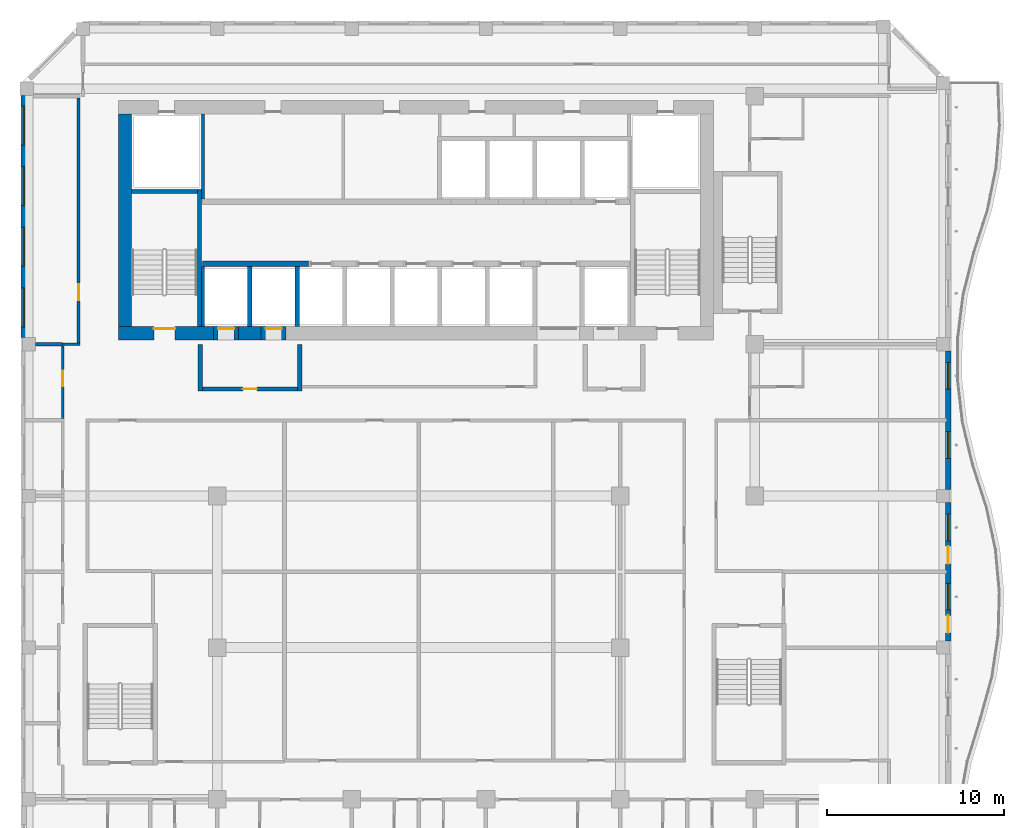
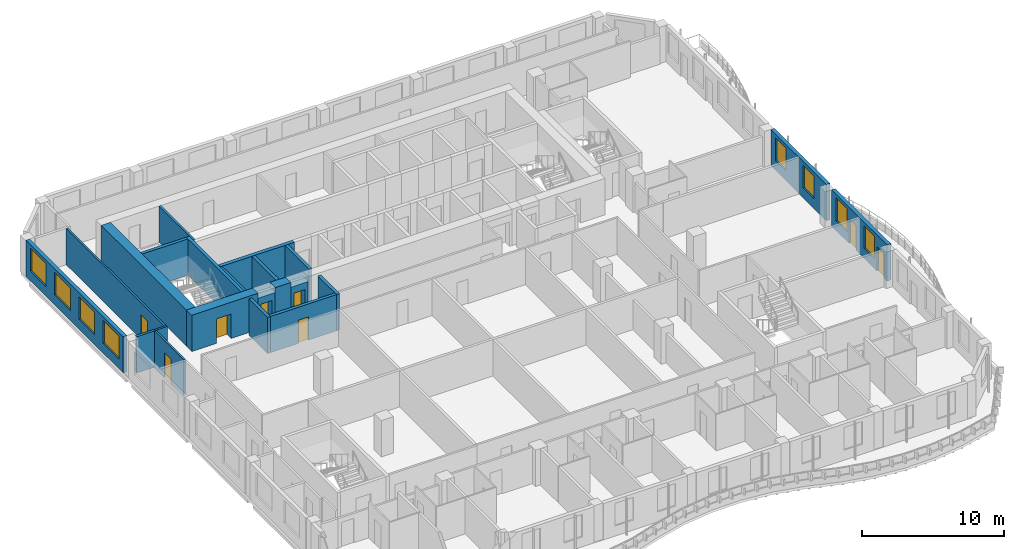
# One storey, part 6 of 21: 22 walls, 8 doors, 8 windows, 16 openings.
"""IFC4 building model written with IfcOpenShell, lengths in metres."""

from ifc_helpers import new_model, si_unit, direction, frame, frame_2d, origin, place, context, subcontext, project, spatial, rectangle, extrude, source, transform, mapped, material, layer, layer_set, type_object, element, fill, save


model = new_model("IFC4")

# Units and contexts
model_context = context("Model", 3, precision=1e-05, world=origin(), true_north=direction((0.0, 1.0)))
body_context = subcontext(model_context, "Body", "Model", "MODEL_VIEW")
ifc_project = project(units=[si_unit("LENGTHUNIT", "METRE"), si_unit("AREAUNIT", "SQUARE_METRE"), si_unit("VOLUMEUNIT", "CUBIC_METRE"), si_unit("PLANEANGLEUNIT", "RADIAN"), si_unit("MASSUNIT", "GRAM", prefix="KILO")], contexts=[model_context])

# Site, building, storey
site_placement = place(None, origin())
site = spatial("IfcSite", under=ifc_project, at=site_placement, CompositionType="ELEMENT")
building_placement = place(site_placement, origin())
building = spatial("IfcBuilding", under=site, at=building_placement, Name="Kilnfold Tower and Market Hall", CompositionType="ELEMENT")
storey_placement = place(building_placement, frame((0.0, 0.0, 210.10009765625)))
storey = spatial("IfcBuildingStorey", under=building, at=storey_placement, Name="L51", CompositionType="ELEMENT", Elevation=210.10009765625)

# Wall
ifc_material_1 = material(Name="Gypsum board on steel studs", Category="steel")
ifc_layer_1 = layer(ifc_material_1, 0.14990234375)
ifc_layer_set_1 = layer_set([ifc_layer_1], Name="Gypsum board on steel studs")
wall_type_1 = type_object("IfcWallType", Name="WALL CORRIDOR 150", PredefinedType="PARTITIONING", material=ifc_layer_set_1)
wall_1_placement = place(storey_placement, frame((-17.925048828125, 8.0, 0.0), z_axis=(0.0, 0.0, 1.0), x_axis=(-1.0, 0.0, 0.0)))
element("IfcWall", 1, at=wall_1_placement, inside=storey, type_object=wall_type_1, Name="Partition LY31.7", PredefinedType="PARTITIONING", context=body_context, shape_type="SweptSolid", body=[
    extrude(rectangle(XDim=0.975830078125, YDim=0.14990234375, at=frame_2d((0.48779296875, 0.0))), origin(), (0.0, 0.0, 1.0), 3.119873046875),
])

# Wall, opening, door
wall_2_placement = place(storey_placement, frame((-18.0, 21.89990234375, 0.0), z_axis=(0.0, 0.0, 1.0), x_axis=(0.0, -1.0, 0.0)))
wall_2 = element("IfcWall", 2, at=wall_2_placement, inside=storey, type_object=wall_type_1, Name="Partition LY31.8", PredefinedType="PARTITIONING", context=body_context, shape_type="SweptSolid", body=[
    extrude(rectangle(XDim=13.824951171875, YDim=0.14990234375, at=frame_2d((6.91259765625, 0.0))), origin(), (0.0, 0.0, 1.0), 3.119873046875),
])
opening_1_placement = place(wall_2_placement, frame((10.52099609375, 0.0, 0.0)))
opening_1 = element("IfcOpeningElement", 3, at=opening_1_placement, cuts=wall_2, Name="Opening D2", PredefinedType="OPENING", context=body_context, shape_type="SweptSolid", body=[
    extrude(rectangle(XDim=0.89990234375, YDim=2.10009765625, at=frame_2d((0.449951171875, 1.050048828125))), frame((0.0, 0.0849609375, 0.0), z_axis=(0.0, -1.0, 0.0), x_axis=(1.0, 0.0, 0.0)), (0.0, 0.0, 1.0), 0.169921875),
])
ifc_material_2 = material(Name="Timber veneer door leaf in steel frame", Category="steel")
door_type_1 = type_object("IfcDoorType", Name="DOOR ROOM 900 X2100", OperationType="NOTDEFINED", PredefinedType="DOOR", material=ifc_material_2)
door_1_placement = place(opening_1_placement, origin())
door_1 = element("IfcDoor", 4, at=door_1_placement, inside=storey, type_object=door_type_1, Name="Door D2", OperationType="SINGLE_SWING_RIGHT", OverallHeight=2.10009765625, OverallWidth=0.89990234375, PredefinedType="DOOR", context=body_context, shape_type="SweptSolid", body=[
    extrude(rectangle(XDim=0.89990234375, YDim=2.10009765625, at=frame_2d((0.449951171875, 1.050048828125))), frame((0.0, 0.02490234375, 0.0), z_axis=(0.0, -1.0, 0.0), x_axis=(1.0, 0.0, 0.0)), (0.0, 0.0, 1.0), 0.050048828125),
])
fill(opening_1, door_1)

wall_3_placement = place(storey_placement, frame((-18.89990234375, 3.80908203125, 0.0), z_axis=(0.0, 0.0, 1.0), x_axis=(0.0, 1.0, 0.0)))
wall_3 = element("IfcWall", 5, at=wall_3_placement, inside=storey, type_object=wall_type_1, Name="Partition LY31.16", PredefinedType="PARTITIONING", context=body_context, shape_type="SweptSolid", body=[
    extrude(rectangle(XDim=4.091796875, YDim=0.14990234375, at=frame_2d((2.0458984375, 0.0))), origin(), (0.0, 0.0, 1.0), 3.119873046875),
])
opening_2_placement = place(wall_3_placement, frame((1.80908203125, 0.0, 0.0)))
opening_2 = element("IfcOpeningElement", 6, at=opening_2_placement, cuts=wall_3, Name="Opening D2", PredefinedType="OPENING", context=body_context, shape_type="SweptSolid", body=[
    extrude(rectangle(XDim=0.89990234375, YDim=2.10009765625, at=frame_2d((0.449951171875, 1.050048828125))), frame((0.0, 0.0849609375, 0.0), z_axis=(0.0, -1.0, 0.0), x_axis=(1.0, 0.0, 0.0)), (0.0, 0.0, 1.0), 0.169921875),
])
door_2_placement = place(opening_2_placement, origin())
door_2 = element("IfcDoor", 7, at=door_2_placement, inside=storey, type_object=door_type_1, Name="Door D2", OperationType="SINGLE_SWING_LEFT", OverallHeight=2.10009765625, OverallWidth=0.89990234375, PredefinedType="DOOR", context=body_context, shape_type="SweptSolid", body=[
    extrude(rectangle(XDim=0.89990234375, YDim=2.10009765625, at=frame_2d((0.449951171875, 1.050048828125))), frame((0.0, 0.02490234375, 0.0), z_axis=(0.0, -1.0, 0.0), x_axis=(1.0, 0.0, 0.0)), (0.0, 0.0, 1.0), 0.050048828125),
])
fill(opening_2, door_2)

# Walls
ifc_material_3 = material(Name="Gypsum board on steel studs", Category="steel")
ifc_layer_2 = layer(ifc_material_3, 0.199951171875)
ifc_layer_set_2 = layer_set([ifc_layer_2], Name="Gypsum board on steel studs")
wall_type_2 = type_object("IfcWallType", Name="WALL PARTY 200", PredefinedType="PARTITIONING", material=ifc_layer_set_2)
wall_4_placement = place(storey_placement, frame((-20.425048828125, 8.0, 0.0), z_axis=(0.0, 0.0, 1.0), x_axis=(0.999999794741, 0.000640717472, 0.0)))
element("IfcWall", 8, at=wall_4_placement, inside=storey, type_object=wall_type_2, Name="Partition LY31.77", PredefinedType="PARTITIONING", context=body_context, shape_type="SweptSolid", body=[
    extrude(rectangle(XDim=1.524169921875, YDim=0.199951171875, at=frame_2d((0.76220703125, 0.0))), origin(), (0.0, 0.0, 1.0), 3.119873046875),
])
ifc_material_4 = material(Name="Concrete C60", Category="concrete")
ifc_layer_3 = layer(ifc_material_4, 0.25)
ifc_layer_set_3 = layer_set([ifc_layer_3], Name="Concrete C60")
wall_type_3 = type_object("IfcWallType", Name="CORE WALL 250 C60", PredefinedType="SHEAR", material=ifc_layer_set_3)
shared_shape_1 = source(origin(), body_context, "Body", "SweptSolid", [
    extrude(rectangle(XDim=7.75, YDim=0.25, at=frame_2d((3.875, 0.0))), origin(), (0.0, 0.0, 1.0), 3.119873046875),
])
wall_5_placement = place(storey_placement, frame((-11.175048828125, 9.0, 0.0), z_axis=(0.0, 0.0, 1.0), x_axis=(0.0, 1.0, 0.0)))
element("IfcWall", 9, at=wall_5_placement, inside=storey, type_object=wall_type_3, Name="Stair enclosure ST1", PredefinedType="SHEAR", context=body_context, shape_type="MappedRepresentation", body=[
    mapped(shared_shape_1, transform((0.0, 0.0, 0.0))),
])
shared_shape_2 = source(origin(), body_context, "Body", "SweptSolid", [
    extrude(rectangle(XDim=3.699951171875, YDim=0.25, at=frame_2d((1.85009765625, 0.0))), origin(), (0.0, 0.0, 1.0), 3.119873046875),
])
wall_6_placement = place(storey_placement, frame((-15.0, 16.625, 0.0), z_axis=(0.0, 0.0, 1.0), x_axis=(1.0, 0.0, 0.0)))
element("IfcWall", 10, at=wall_6_placement, inside=storey, type_object=wall_type_3, Name="Stair enclosure ST1", PredefinedType="SHEAR", context=body_context, shape_type="MappedRepresentation", body=[
    mapped(shared_shape_2, transform((0.0, 0.0, 0.0))),
])
ifc_material_5 = material(Name="Concrete C60", Category="concrete")
ifc_layer_4 = layer(ifc_material_5, 0.300048828125)
ifc_layer_set_4 = layer_set([ifc_layer_4], Name="Concrete C60")
wall_type_4 = type_object("IfcWallType", Name="CORE WALL 300 C60", PredefinedType="SHEAR", material=ifc_layer_set_4)
shared_shape_3 = source(origin(), body_context, "Body", "SweptSolid", [
    extrude(rectangle(XDim=6.0, YDim=0.300048828125, at=frame_2d((3.0, 0.0))), origin(), (0.0, 0.0, 1.0), 3.119873046875),
])
wall_7_placement = place(storey_placement, frame((-11.010009765625, 12.550048828125, 0.0), z_axis=(0.0, 0.0, 1.0), x_axis=(1.0, 0.0, 0.0)))
element("IfcWall", 11, at=wall_7_placement, inside=storey, type_object=wall_type_4, Name="Core spine wall", PredefinedType="SHEAR", context=body_context, shape_type="MappedRepresentation", body=[
    mapped(shared_shape_3, transform((0.0, 0.0, 0.0))),
])

# Wall, opening, door
ifc_material_6 = material(Name="Concrete C60", Category="concrete")
ifc_layer_5 = layer(ifc_material_6, 0.75)
ifc_layer_set_5 = layer_set([ifc_layer_5], Name="Concrete C60")
wall_type_5 = type_object("IfcWallType", Name="CORE WALL 750 C60", PredefinedType="SHEAR", material=ifc_layer_set_5)
shared_shape_4 = source(origin(), body_context, "Body", "SweptSolid", [
    extrude(rectangle(XDim=5.3798828125, YDim=0.75, at=frame_2d((2.68994140625, 0.0))), origin(), (0.0, 0.0, 1.0), 3.119873046875),
])
wall_8_placement = place(storey_placement, frame((-15.75, 8.625, 0.0), z_axis=(0.0, 0.0, 1.0), x_axis=(1.0, 0.0, 0.0)))
wall_8 = element("IfcWall", 12, at=wall_8_placement, inside=storey, type_object=wall_type_5, Name="Core outer wall south", PredefinedType="SHEAR", context=body_context, shape_type="MappedRepresentation", body=[
    mapped(shared_shape_4, transform((0.0, 0.0, 0.0))),
])
opening_3_placement = place(wall_8_placement, frame((2.0, 0.0, 0.0)))
opening_3 = element("IfcOpeningElement", 13, at=opening_3_placement, cuts=wall_8, Name="Opening SD1", PredefinedType="OPENING", context=body_context, shape_type="SweptSolid", body=[
    extrude(rectangle(XDim=1.199951171875, YDim=2.10009765625, at=frame_2d((0.60009765625, 1.050048828125))), frame((0.0, 0.385009765625, 0.0), z_axis=(0.0, -1.0, 0.0), x_axis=(1.0, 0.0, 0.0)), (0.0, 0.0, 1.0), 0.77001953125),
])
ifc_material_7 = material(Name="Steel door set with fire-resisting leaf", Category="steel")
door_type_2 = type_object("IfcDoorType", Name="STAIR FLOOR DOOR 1200X2100", OperationType="NOTDEFINED", PredefinedType="DOOR", material=ifc_material_7)
door_3_placement = place(opening_3_placement, origin())
door_3 = element("IfcDoor", 14, at=door_3_placement, inside=storey, type_object=door_type_2, Name="Exit stair ST1 door", OperationType="DOUBLE_DOOR_SINGLE_SWING", OverallHeight=2.10009765625, OverallWidth=1.199951171875, PredefinedType="DOOR", context=body_context, shape_type="SweptSolid", body=[
    extrude(rectangle(XDim=1.199951171875, YDim=2.10009765625, at=frame_2d((0.60009765625, 1.050048828125))), frame((0.0, 0.27978515625, 0.0), z_axis=(0.0, -1.0, 0.0), x_axis=(1.0, 0.0, 0.0)), (0.0, 0.0, 1.0), 0.050048828125),
])
fill(opening_3, door_3)

# Walls
shared_shape_5 = source(origin(), body_context, "Body", "SweptSolid", [
    extrude(rectangle(XDim=1.280029296875, YDim=0.75, at=frame_2d((0.64013671875, 0.0))), origin(), (0.0, 0.0, 1.0), 3.119873046875),
])
wall_9_placement = place(storey_placement, frame((-8.969970703125, 8.625, 0.0), z_axis=(0.0, 0.0, 1.0), x_axis=(1.0, 0.0, 0.0)))
element("IfcWall", 15, at=wall_9_placement, inside=storey, type_object=wall_type_5, Name="Core outer wall south", PredefinedType="SHEAR", context=body_context, shape_type="MappedRepresentation", body=[
    mapped(shared_shape_5, transform((0.0, 0.0, 0.0))),
])
shared_shape_6 = source(origin(), body_context, "Body", "SweptSolid", [
    extrude(rectangle(XDim=12.0, YDim=0.75, at=frame_2d((6.0, 0.0))), origin(), (0.0, 0.0, 1.0), 3.119873046875),
])
wall_10_placement = place(storey_placement, frame((-15.375, 9.0, 0.0), z_axis=(0.0, 0.0, 1.0), x_axis=(0.0, 1.0, 0.0)))
element("IfcWall", 16, at=wall_10_placement, inside=storey, type_object=wall_type_5, Name="Core outer wall west", PredefinedType="SHEAR", context=body_context, shape_type="MappedRepresentation", body=[
    mapped(shared_shape_6, transform((0.0, 0.0, 0.0))),
])

# Wall, openings, doors, windows
ifc_material_8 = material(Name="Precast concrete C50/60", Category="concrete")
ifc_layer_6 = layer(ifc_material_8, 0.300048828125)
ifc_layer_set_6 = layer_set([ifc_layer_6], Name="Precast concrete C50/60")
wall_type_6 = type_object("IfcWallType", Name="PRECAST WALL 300", PredefinedType="SOLIDWALL", material=ifc_layer_set_6)
shared_shape_7 = source(origin(), body_context, "Body", "SweptSolid", [
    extrude(rectangle(XDim=7.8125, YDim=0.300048828125, at=frame_2d((3.90625, 0.0))), origin(), (0.0, 0.0, 1.0), 3.119873046875),
])
wall_11_placement = place(storey_placement, frame((31.10009765625, -8.75, 0.0), z_axis=(0.0, 0.0, 1.0), x_axis=(0.0, 1.0, 0.0)))
wall_11 = element("IfcWall", 17, at=wall_11_placement, inside=storey, type_object=wall_type_6, Name="External wall L51 E", PredefinedType="SOLIDWALL", context=body_context, shape_type="MappedRepresentation", body=[
    mapped(shared_shape_7, transform((0.0, 0.0, 0.0))),
])
opening_4_placement = place(wall_11_placement, frame((1.75, 0.0, 0.85009765625)))
opening_4 = element("IfcOpeningElement", 18, at=opening_4_placement, cuts=wall_11, Name="Opening W4", PredefinedType="OPENING", context=body_context, shape_type="SweptSolid", body=[
    extrude(rectangle(XDim=1.5, YDim=1.949951171875, at=frame_2d((0.75, 0.97509765625))), frame((0.0, 0.16015625, 0.0), z_axis=(0.0, -1.0, 0.0), x_axis=(1.0, 0.0, 0.0)), (0.0, 0.0, 1.0), 0.320068359375),
])
opening_5_placement = place(wall_11_placement, frame((0.449951171875, 0.0, 0.0)))
opening_5 = element("IfcOpeningElement", 19, at=opening_5_placement, cuts=wall_11, Name="Opening BD1", PredefinedType="OPENING", context=body_context, shape_type="SweptSolid", body=[
    extrude(rectangle(XDim=1.0, YDim=2.10009765625, at=frame_2d((0.5, 1.050048828125))), frame((0.0, 0.16015625, 0.0), z_axis=(0.0, -1.0, 0.0), x_axis=(1.0, 0.0, 0.0)), (0.0, 0.0, 1.0), 0.320068359375),
])
opening_6_placement = place(wall_11_placement, frame((5.65625, 0.0, 0.85009765625)))
opening_6 = element("IfcOpeningElement", 20, at=opening_6_placement, cuts=wall_11, Name="Opening W4", PredefinedType="OPENING", context=body_context, shape_type="SweptSolid", body=[
    extrude(rectangle(XDim=1.5, YDim=1.949951171875, at=frame_2d((0.75, 0.97509765625))), frame((0.0, 0.16015625, 0.0), z_axis=(0.0, -1.0, 0.0), x_axis=(1.0, 0.0, 0.0)), (0.0, 0.0, 1.0), 0.320068359375),
])
opening_7_placement = place(wall_11_placement, frame((4.356201171875, 0.0, 0.0)))
opening_7 = element("IfcOpeningElement", 21, at=opening_7_placement, cuts=wall_11, Name="Opening BD1", PredefinedType="OPENING", context=body_context, shape_type="SweptSolid", body=[
    extrude(rectangle(XDim=1.0, YDim=2.10009765625, at=frame_2d((0.5, 1.050048828125))), frame((0.0, 0.16015625, 0.0), z_axis=(0.0, -1.0, 0.0), x_axis=(1.0, 0.0, 0.0)), (0.0, 0.0, 1.0), 0.320068359375),
])
ifc_material_9 = material(Name="Aluminium frame and double glazing", Category="aluminium")
door_type_3 = type_object("IfcDoorType", Name="BALCONY DOOR 1000X2100", OperationType="NOTDEFINED", PredefinedType="DOOR", material=ifc_material_9)
door_4_placement = place(opening_5_placement, origin())
door_4 = element("IfcDoor", 22, at=door_4_placement, inside=storey, type_object=door_type_3, Name="Balcony door BD1 L51 E-1", OperationType="SINGLE_SWING_LEFT", OverallHeight=2.10009765625, OverallWidth=1.0, PredefinedType="DOOR", context=body_context, shape_type="SweptSolid", body=[
    extrude(rectangle(XDim=1.0, YDim=2.10009765625, at=frame_2d((0.5, 1.050048828125))), frame((0.0, 0.02490234375, 0.0), z_axis=(0.0, -1.0, 0.0), x_axis=(1.0, 0.0, 0.0)), (0.0, 0.0, 1.0), 0.050048828125),
])
fill(opening_5, door_4)
door_5_placement = place(opening_7_placement, origin())
door_5 = element("IfcDoor", 23, at=door_5_placement, inside=storey, type_object=door_type_3, Name="Balcony door BD1 L51 E-2", OperationType="SINGLE_SWING_RIGHT", OverallHeight=2.10009765625, OverallWidth=1.0, PredefinedType="DOOR", context=body_context, shape_type="SweptSolid", body=[
    extrude(rectangle(XDim=1.0, YDim=2.10009765625, at=frame_2d((0.5, 1.050048828125))), frame((0.0, 0.02490234375, 0.0), z_axis=(0.0, -1.0, 0.0), x_axis=(1.0, 0.0, 0.0)), (0.0, 0.0, 1.0), 0.050048828125),
])
fill(opening_7, door_5)
ifc_material_10 = material(Name="Aluminium frame and double glazing", Category="aluminium")
window_type_1 = type_object("IfcWindowType", Name="WINDOW W4 1500X1950", PartitioningType="SINGLE_PANEL", PredefinedType="WINDOW", material=ifc_material_10)
window_1_placement = place(opening_4_placement, origin())
window_1 = element("IfcWindow", 24, at=window_1_placement, inside=storey, type_object=window_type_1, Name="Window W4 L51 E-1", OverallHeight=1.949951171875, OverallWidth=1.5, PartitioningType="SINGLE_PANEL", PredefinedType="WINDOW", context=body_context, shape_type="SweptSolid", body=[
    extrude(rectangle(XDim=1.5, YDim=1.949951171875, at=frame_2d((0.75, 0.97509765625))), frame((0.0, 0.030029296875, 0.0), z_axis=(0.0, -1.0, 0.0), x_axis=(1.0, 0.0, 0.0)), (0.0, 0.0, 1.0), 0.06005859375),
])
fill(opening_4, window_1)
window_2_placement = place(opening_6_placement, origin())
window_2 = element("IfcWindow", 25, at=window_2_placement, inside=storey, type_object=window_type_1, Name="Window W4 L51 E-2", OverallHeight=1.949951171875, OverallWidth=1.5, PartitioningType="SINGLE_PANEL", PredefinedType="WINDOW", context=body_context, shape_type="SweptSolid", body=[
    extrude(rectangle(XDim=1.5, YDim=1.949951171875, at=frame_2d((0.75, 0.97509765625))), frame((0.0, 0.030029296875, 0.0), z_axis=(0.0, -1.0, 0.0), x_axis=(1.0, 0.0, 0.0)), (0.0, 0.0, 1.0), 0.06005859375),
])
fill(opening_6, window_2)

# Wall, openings, windows
wall_12_placement = place(storey_placement, frame((31.10009765625, -0.1875, 0.0), z_axis=(0.0, 0.0, 1.0), x_axis=(0.0, 1.0, 0.0)))
wall_12 = element("IfcWall", 26, at=wall_12_placement, inside=storey, type_object=wall_type_6, Name="External wall L51 E", PredefinedType="SOLIDWALL", context=body_context, shape_type="MappedRepresentation", body=[
    mapped(shared_shape_7, transform((0.0, 0.0, 0.0))),
])
opening_8_placement = place(wall_12_placement, frame((1.75, 0.0, 0.85009765625)))
opening_8 = element("IfcOpeningElement", 27, at=opening_8_placement, cuts=wall_12, Name="Opening W4", PredefinedType="OPENING", context=body_context, shape_type="SweptSolid", body=[
    extrude(rectangle(XDim=1.5, YDim=1.949951171875, at=frame_2d((0.75, 0.97509765625))), frame((0.0, 0.16015625, 0.0), z_axis=(0.0, -1.0, 0.0), x_axis=(1.0, 0.0, 0.0)), (0.0, 0.0, 1.0), 0.320068359375),
])
opening_9_placement = place(wall_12_placement, frame((5.65625, 0.0, 0.85009765625)))
opening_9 = element("IfcOpeningElement", 28, at=opening_9_placement, cuts=wall_12, Name="Opening W4", PredefinedType="OPENING", context=body_context, shape_type="SweptSolid", body=[
    extrude(rectangle(XDim=1.5, YDim=1.949951171875, at=frame_2d((0.75, 0.97509765625))), frame((0.0, 0.16015625, 0.0), z_axis=(0.0, -1.0, 0.0), x_axis=(1.0, 0.0, 0.0)), (0.0, 0.0, 1.0), 0.320068359375),
])
window_3_placement = place(opening_8_placement, origin())
window_3 = element("IfcWindow", 29, at=window_3_placement, inside=storey, type_object=window_type_1, Name="Window W4 L51 E-1", OverallHeight=1.949951171875, OverallWidth=1.5, PartitioningType="SINGLE_PANEL", PredefinedType="WINDOW", context=body_context, shape_type="SweptSolid", body=[
    extrude(rectangle(XDim=1.5, YDim=1.949951171875, at=frame_2d((0.75, 0.97509765625))), frame((0.0, 0.030029296875, 0.0), z_axis=(0.0, -1.0, 0.0), x_axis=(1.0, 0.0, 0.0)), (0.0, 0.0, 1.0), 0.06005859375),
])
fill(opening_8, window_3)
window_4_placement = place(opening_9_placement, origin())
window_4 = element("IfcWindow", 30, at=window_4_placement, inside=storey, type_object=window_type_1, Name="Window W4 L51 E-2", OverallHeight=1.949951171875, OverallWidth=1.5, PartitioningType="SINGLE_PANEL", PredefinedType="WINDOW", context=body_context, shape_type="SweptSolid", body=[
    extrude(rectangle(XDim=1.5, YDim=1.949951171875, at=frame_2d((0.75, 0.97509765625))), frame((0.0, 0.030029296875, 0.0), z_axis=(0.0, -1.0, 0.0), x_axis=(1.0, 0.0, 0.0)), (0.0, 0.0, 1.0), 0.06005859375),
])
fill(opening_9, window_4)

shared_shape_8 = source(origin(), body_context, "Body", "SweptSolid", [
    extrude(rectangle(XDim=13.681884765625, YDim=0.300048828125, at=frame_2d((6.8408203125, 0.0))), origin(), (0.0, 0.0, 1.0), 3.119873046875),
])
wall_13_placement = place(storey_placement, frame((-21.10009765625, 22.056884765625, 0.0), z_axis=(0.0, 0.0, 1.0), x_axis=(0.0, -1.0, 0.0)))
wall_13 = element("IfcWall", 31, at=wall_13_placement, inside=storey, type_object=wall_type_6, Name="External wall L51 W", PredefinedType="SOLIDWALL", context=body_context, shape_type="MappedRepresentation", body=[
    mapped(shared_shape_8, transform((0.0, 0.0, 0.0))),
])
opening_10_placement = place(wall_13_placement, frame((0.610107421875, 0.0, 0.85009765625)))
opening_10 = element("IfcOpeningElement", 32, at=opening_10_placement, cuts=wall_13, Name="Opening W2", PredefinedType="OPENING", context=body_context, shape_type="SweptSolid", body=[
    extrude(rectangle(XDim=2.199951171875, YDim=1.949951171875, at=frame_2d((1.10009765625, 0.97509765625))), frame((0.0, 0.16015625, 0.0), z_axis=(0.0, -1.0, 0.0), x_axis=(1.0, 0.0, 0.0)), (0.0, 0.0, 1.0), 0.320068359375),
])
opening_11_placement = place(wall_13_placement, frame((4.030517578125, 0.0, 0.85009765625)))
opening_11 = element("IfcOpeningElement", 33, at=opening_11_placement, cuts=wall_13, Name="Opening W2", PredefinedType="OPENING", context=body_context, shape_type="SweptSolid", body=[
    extrude(rectangle(XDim=2.199951171875, YDim=1.949951171875, at=frame_2d((1.10009765625, 0.97509765625))), frame((0.0, 0.16015625, 0.0), z_axis=(0.0, -1.0, 0.0), x_axis=(1.0, 0.0, 0.0)), (0.0, 0.0, 1.0), 0.320068359375),
])
opening_12_placement = place(wall_13_placement, frame((7.451171875, 0.0, 0.85009765625)))
opening_12 = element("IfcOpeningElement", 34, at=opening_12_placement, cuts=wall_13, Name="Opening W2", PredefinedType="OPENING", context=body_context, shape_type="SweptSolid", body=[
    extrude(rectangle(XDim=2.199951171875, YDim=1.949951171875, at=frame_2d((1.10009765625, 0.97509765625))), frame((0.0, 0.16015625, 0.0), z_axis=(0.0, -1.0, 0.0), x_axis=(1.0, 0.0, 0.0)), (0.0, 0.0, 1.0), 0.320068359375),
])
opening_13_placement = place(wall_13_placement, frame((10.87158203125, 0.0, 0.85009765625)))
opening_13 = element("IfcOpeningElement", 35, at=opening_13_placement, cuts=wall_13, Name="Opening W2", PredefinedType="OPENING", context=body_context, shape_type="SweptSolid", body=[
    extrude(rectangle(XDim=2.199951171875, YDim=1.949951171875, at=frame_2d((1.10009765625, 0.97509765625))), frame((0.0, 0.16015625, 0.0), z_axis=(0.0, -1.0, 0.0), x_axis=(1.0, 0.0, 0.0)), (0.0, 0.0, 1.0), 0.320068359375),
])
ifc_material_11 = material(Name="Aluminium frame and double glazing", Category="aluminium")
window_type_2 = type_object("IfcWindowType", Name="WINDOW W2 2200X1950", PartitioningType="SINGLE_PANEL", PredefinedType="WINDOW", material=ifc_material_11)
window_5_placement = place(opening_10_placement, origin())
window_5 = element("IfcWindow", 36, at=window_5_placement, inside=storey, type_object=window_type_2, Name="Window W2 L51 W-1", OverallHeight=1.949951171875, OverallWidth=2.199951171875, PartitioningType="SINGLE_PANEL", PredefinedType="WINDOW", context=body_context, shape_type="SweptSolid", body=[
    extrude(rectangle(XDim=2.199951171875, YDim=1.949951171875, at=frame_2d((1.10009765625, 0.97509765625))), frame((0.0, 0.030029296875, 0.0), z_axis=(0.0, -1.0, 0.0), x_axis=(1.0, 0.0, 0.0)), (0.0, 0.0, 1.0), 0.06005859375),
])
fill(opening_10, window_5)
window_6_placement = place(opening_11_placement, origin())
window_6 = element("IfcWindow", 37, at=window_6_placement, inside=storey, type_object=window_type_2, Name="Window W2 L51 W-2", OverallHeight=1.949951171875, OverallWidth=2.199951171875, PartitioningType="SINGLE_PANEL", PredefinedType="WINDOW", context=body_context, shape_type="SweptSolid", body=[
    extrude(rectangle(XDim=2.199951171875, YDim=1.949951171875, at=frame_2d((1.10009765625, 0.97509765625))), frame((0.0, 0.030029296875, 0.0), z_axis=(0.0, -1.0, 0.0), x_axis=(1.0, 0.0, 0.0)), (0.0, 0.0, 1.0), 0.06005859375),
])
fill(opening_11, window_6)
window_7_placement = place(opening_12_placement, origin())
window_7 = element("IfcWindow", 38, at=window_7_placement, inside=storey, type_object=window_type_2, Name="Window W2 L51 W-3", OverallHeight=1.949951171875, OverallWidth=2.199951171875, PartitioningType="SINGLE_PANEL", PredefinedType="WINDOW", context=body_context, shape_type="SweptSolid", body=[
    extrude(rectangle(XDim=2.199951171875, YDim=1.949951171875, at=frame_2d((1.10009765625, 0.97509765625))), frame((0.0, 0.030029296875, 0.0), z_axis=(0.0, -1.0, 0.0), x_axis=(1.0, 0.0, 0.0)), (0.0, 0.0, 1.0), 0.06005859375),
])
fill(opening_12, window_7)
window_8_placement = place(opening_13_placement, origin())
window_8 = element("IfcWindow", 39, at=window_8_placement, inside=storey, type_object=window_type_2, Name="Window W2 L51 W-4", OverallHeight=1.949951171875, OverallWidth=2.199951171875, PartitioningType="SINGLE_PANEL", PredefinedType="WINDOW", context=body_context, shape_type="SweptSolid", body=[
    extrude(rectangle(XDim=2.199951171875, YDim=1.949951171875, at=frame_2d((1.10009765625, 0.97509765625))), frame((0.0, 0.030029296875, 0.0), z_axis=(0.0, -1.0, 0.0), x_axis=(1.0, 0.0, 0.0)), (0.0, 0.0, 1.0), 0.06005859375),
])
fill(opening_13, window_8)

# Walls
ifc_material_12 = material(Name="Gypsum shaft wall system")
ifc_layer_7 = layer(ifc_material_12, 0.25)
ifc_layer_set_7 = layer_set([ifc_layer_7], Name="Gypsum shaft wall system")
wall_type_7 = type_object("IfcWallType", Name="LOBBY WALL 250", PredefinedType="PARTITIONING", material=ifc_layer_set_7)
shared_shape_9 = source(origin(), body_context, "Body", "SweptSolid", [
    extrude(rectangle(XDim=2.64990234375, YDim=0.25, at=frame_2d((1.324951171875, 0.0))), origin(), (0.0, 0.0, 1.0), 3.119873046875),
])
for number, where, z_axis, x_axis, name in (
    (40, (-11.135009765625, 5.35009765625, 0.0), (0.0, 0.0, 1.0), (0.0, 1.0, 0.0), "Firefighting lobby wall"),
    (41, (-5.52490234375, 5.35009765625, 0.0), (0.0, 0.0, 1.0), (0.0, 1.0, 0.0), "Firefighting lobby wall"),
):
    element("IfcWall", number, at=place(storey_placement, frame(where, z_axis=z_axis, x_axis=x_axis)), inside=storey, type_object=wall_type_7, Name=name, PredefinedType="PARTITIONING", context=body_context, shape_type="MappedRepresentation", body=[
        mapped(shared_shape_9, transform((0.0, 0.0, 0.0))),
    ])

# Wall, opening, door
shared_shape_10 = source(origin(), body_context, "Body", "SweptSolid", [
    extrude(rectangle(XDim=5.360107421875, YDim=0.25, at=frame_2d((2.68017578125, 0.0))), origin(), (0.0, 0.0, 1.0), 3.119873046875),
])
wall_14_placement = place(storey_placement, frame((-11.010009765625, 5.47509765625, 0.0), z_axis=(0.0, 0.0, 1.0), x_axis=(1.0, 0.0, 0.0)))
wall_14 = element("IfcWall", 42, at=wall_14_placement, inside=storey, type_object=wall_type_7, Name="Firefighting lobby wall", PredefinedType="PARTITIONING", context=body_context, shape_type="MappedRepresentation", body=[
    mapped(shared_shape_10, transform((0.0, 0.0, 0.0))),
])
opening_14_placement = place(wall_14_placement, frame((2.280029296875, 0.0, 0.0)))
opening_14 = element("IfcOpeningElement", 43, at=opening_14_placement, cuts=wall_14, Name="Opening VD1", PredefinedType="OPENING", context=body_context, shape_type="SweptSolid", body=[
    extrude(rectangle(XDim=0.800048828125, YDim=2.0, at=frame_2d((0.39990234375, 1.0))), frame((0.0, 0.135009765625, 0.0), z_axis=(0.0, -1.0, 0.0), x_axis=(1.0, 0.0, 0.0)), (0.0, 0.0, 1.0), 0.27001953125),
])
ifc_material_13 = material(Name="Steel door set with fire-resisting leaf", Category="steel")
door_type_4 = type_object("IfcDoorType", Name="FIREFIGHTING LOBBY DOOR 800X2000", OperationType="NOTDEFINED", PredefinedType="DOOR", material=ifc_material_13)
door_6_placement = place(opening_14_placement, origin())
door_6 = element("IfcDoor", 44, at=door_6_placement, inside=storey, type_object=door_type_4, Name="Firefighting lobby door", OperationType="SINGLE_SWING_LEFT", OverallHeight=2.0, OverallWidth=0.800048828125, PredefinedType="DOOR", context=body_context, shape_type="SweptSolid", body=[
    extrude(rectangle(XDim=0.800048828125, YDim=2.0, at=frame_2d((0.39990234375, 1.0))), frame((0.0, 0.02490234375, 0.0), z_axis=(0.0, -1.0, 0.0), x_axis=(1.0, 0.0, 0.0)), (0.0, 0.0, 1.0), 0.050048828125),
])
fill(opening_14, door_6)

# Walls
ifc_material_14 = material(Name="Gypsum shaft wall system")
ifc_layer_8 = layer(ifc_material_14, 0.1650390625)
ifc_layer_set_8 = layer_set([ifc_layer_8], Name="Gypsum shaft wall system")
wall_type_8 = type_object("IfcWallType", Name="SHAFT WALL 165", PredefinedType="PARTITIONING", material=ifc_layer_set_8)
shared_shape_11 = source(origin(), body_context, "Body", "SweptSolid", [
    extrude(rectangle(XDim=4.800048828125, YDim=0.1650390625, at=frame_2d((2.39990234375, 0.0))), origin(), (0.0, 0.0, 1.0), 3.119873046875),
])
wall_15_placement = place(storey_placement, frame((-10.967529296875, 16.199951171875, 0.0), z_axis=(0.0, 0.0, 1.0), x_axis=(0.0, 1.0, 0.0)))
element("IfcWall", 45, at=wall_15_placement, inside=storey, type_object=wall_type_8, Name="Lift shaft wall", PredefinedType="PARTITIONING", context=body_context, shape_type="MappedRepresentation", body=[
    mapped(shared_shape_11, transform((0.0, 0.0, 0.0))),
])
ifc_material_15 = material(Name="Gypsum shaft wall system")
ifc_layer_9 = layer(ifc_material_15, 0.25)
ifc_layer_set_9 = layer_set([ifc_layer_9], Name="Gypsum shaft wall system")
wall_type_9 = type_object("IfcWallType", Name="SHAFT WALL 250", PredefinedType="PARTITIONING", material=ifc_layer_set_9)
shared_shape_12 = source(origin(), body_context, "Body", "SweptSolid", [
    extrude(rectangle(XDim=3.39990234375, YDim=0.25, at=frame_2d((1.699951171875, 0.0))), origin(), (0.0, 0.0, 1.0), 3.119873046875),
])
for number, where, z_axis, x_axis, name in (
    (46, (-5.64990234375, 9.0, 0.0), (0.0, 0.0, 1.0), (0.0, 1.0, 0.0), "Lift shaft wall"),
    (47, (-8.330078125, 9.0, 0.0), (0.0, 0.0, 1.0), (0.0, 1.0, 0.0), "Lift shaft wall"),
):
    element("IfcWall", number, at=place(storey_placement, frame(where, z_axis=z_axis, x_axis=x_axis)), inside=storey, type_object=wall_type_9, Name=name, PredefinedType="PARTITIONING", context=body_context, shape_type="MappedRepresentation", body=[
        mapped(shared_shape_12, transform((0.0, 0.0, 0.0))),
    ])
shared_shape_13 = source(origin(), body_context, "Body", "SweptSolid", [
    extrude(rectangle(XDim=3.39990234375, YDim=0.1650390625, at=frame_2d((1.699951171875, 0.0))), origin(), (0.0, 0.0, 1.0), 3.119873046875),
])
wall_16_placement = place(storey_placement, frame((-10.967529296875, 9.0, 0.0), z_axis=(0.0, 0.0, 1.0), x_axis=(0.0, 1.0, 0.0)))
element("IfcWall", 48, at=wall_16_placement, inside=storey, type_object=wall_type_8, Name="Lift shaft wall", PredefinedType="PARTITIONING", context=body_context, shape_type="MappedRepresentation", body=[
    mapped(shared_shape_13, transform((0.0, 0.0, 0.0))),
])

# Wall, opening, door
ifc_material_16 = material(Name="Gypsum shaft wall system")
ifc_layer_10 = layer(ifc_material_16, 0.75)
ifc_layer_set_10 = layer_set([ifc_layer_10], Name="Gypsum shaft wall system")
wall_type_10 = type_object("IfcWallType", Name="LOBBY WALL 750", PredefinedType="PARTITIONING", material=ifc_layer_set_10)
shared_shape_14 = source(origin(), body_context, "Body", "SweptSolid", [
    extrude(rectangle(XDim=1.400146484375, YDim=0.75, at=frame_2d((0.7001953125, 0.0))), origin(), (0.0, 0.0, 1.0), 2.699951171875),
])
wall_17_placement = place(storey_placement, frame((-10.3701171875, 8.625, 0.0), z_axis=(0.0, 0.0, 1.0), x_axis=(1.0, 0.0, 0.0)))
wall_17 = element("IfcWall", 49, at=wall_17_placement, inside=storey, type_object=wall_type_10, Name="Core wall infill", PredefinedType="PARTITIONING", context=body_context, shape_type="MappedRepresentation", body=[
    mapped(shared_shape_14, transform((0.0, 0.0, 0.0))),
])
opening_15_placement = place(wall_17_placement, frame((0.25, 0.0, 0.0)))
opening_15 = element("IfcOpeningElement", 50, at=opening_15_placement, cuts=wall_17, Name="Opening LD1", PredefinedType="OPENING", context=body_context, shape_type="SweptSolid", body=[
    extrude(rectangle(XDim=0.89990234375, YDim=2.10009765625, at=frame_2d((0.449951171875, 1.050048828125))), frame((0.0, 0.385009765625, 0.0), z_axis=(0.0, -1.0, 0.0), x_axis=(1.0, 0.0, 0.0)), (0.0, 0.0, 1.0), 0.77001953125),
])
ifc_material_17 = material(Name="Steel door set with fire-resisting leaf", Category="steel")
door_type_5 = type_object("IfcDoorType", Name="FIREFIGHTING LANDING DOOR 900X2100", OperationType="NOTDEFINED", PredefinedType="DOOR", material=ifc_material_17)
door_7_placement = place(opening_15_placement, origin())
door_7 = element("IfcDoor", 51, at=door_7_placement, inside=storey, type_object=door_type_5, Name="Landing door FF1", OperationType="SLIDING_TO_LEFT", OverallHeight=2.10009765625, OverallWidth=0.89990234375, PredefinedType="DOOR", context=body_context, shape_type="SweptSolid", body=[
    extrude(rectangle(XDim=0.89990234375, YDim=2.10009765625, at=frame_2d((0.449951171875, 1.050048828125))), frame((0.0, 0.27978515625, 0.0), z_axis=(0.0, -1.0, 0.0), x_axis=(1.0, 0.0, 0.0)), (0.0, 0.0, 1.0), 0.050048828125),
])
fill(opening_15, door_7)

shared_shape_15 = source(origin(), body_context, "Body", "SweptSolid", [
    extrude(rectangle(XDim=1.39990234375, YDim=0.75, at=frame_2d((0.699951171875, 0.0))), origin(), (0.0, 0.0, 1.0), 2.699951171875),
])
wall_18_placement = place(storey_placement, frame((-7.68994140625, 8.625, 0.0), z_axis=(0.0, 0.0, 1.0), x_axis=(1.0, 0.0, 0.0)))
wall_18 = element("IfcWall", 52, at=wall_18_placement, inside=storey, type_object=wall_type_10, Name="Core wall infill", PredefinedType="PARTITIONING", context=body_context, shape_type="MappedRepresentation", body=[
    mapped(shared_shape_15, transform((0.0, 0.0, 0.0))),
])
opening_16_placement = place(wall_18_placement, frame((0.25, 0.0, 0.0)))
opening_16 = element("IfcOpeningElement", 53, at=opening_16_placement, cuts=wall_18, Name="Opening LD1", PredefinedType="OPENING", context=body_context, shape_type="SweptSolid", body=[
    extrude(rectangle(XDim=0.89990234375, YDim=2.10009765625, at=frame_2d((0.449951171875, 1.050048828125))), frame((0.0, 0.385009765625, 0.0), z_axis=(0.0, -1.0, 0.0), x_axis=(1.0, 0.0, 0.0)), (0.0, 0.0, 1.0), 0.77001953125),
])
door_8_placement = place(opening_16_placement, origin())
door_8 = element("IfcDoor", 54, at=door_8_placement, inside=storey, type_object=door_type_5, Name="Landing door FF2", OperationType="SLIDING_TO_RIGHT", OverallHeight=2.10009765625, OverallWidth=0.89990234375, PredefinedType="DOOR", context=body_context, shape_type="SweptSolid", body=[
    extrude(rectangle(XDim=0.89990234375, YDim=2.10009765625, at=frame_2d((0.449951171875, 1.050048828125))), frame((0.0, 0.27978515625, 0.0), z_axis=(0.0, -1.0, 0.0), x_axis=(1.0, 0.0, 0.0)), (0.0, 0.0, 1.0), 0.050048828125),
])
fill(opening_16, door_8)

save(model, "model.ifc")
